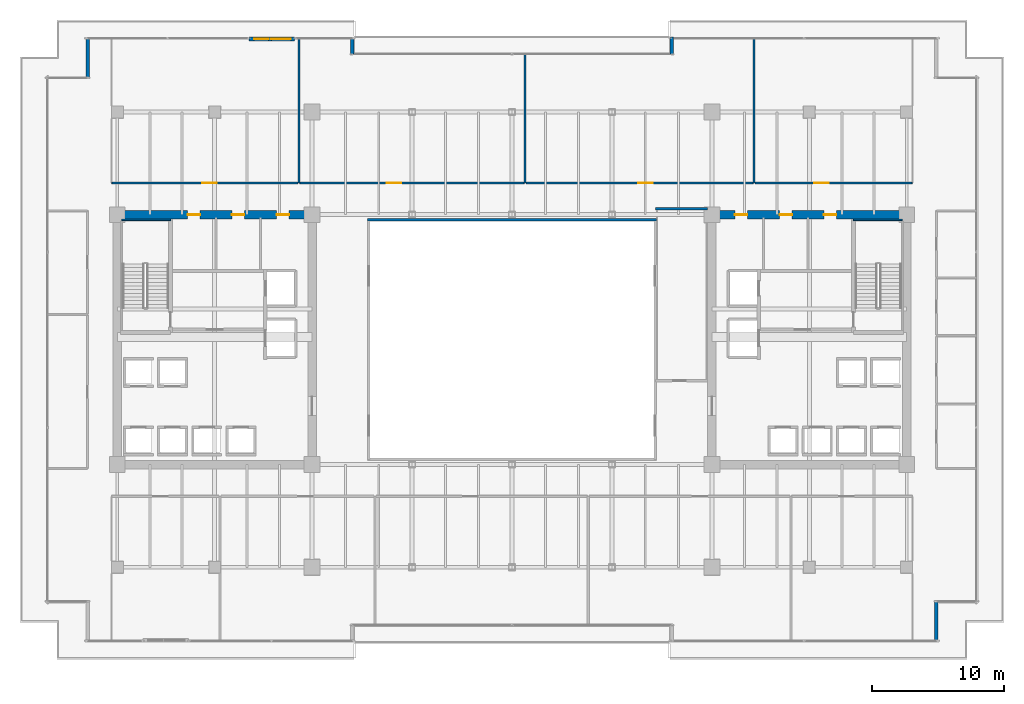
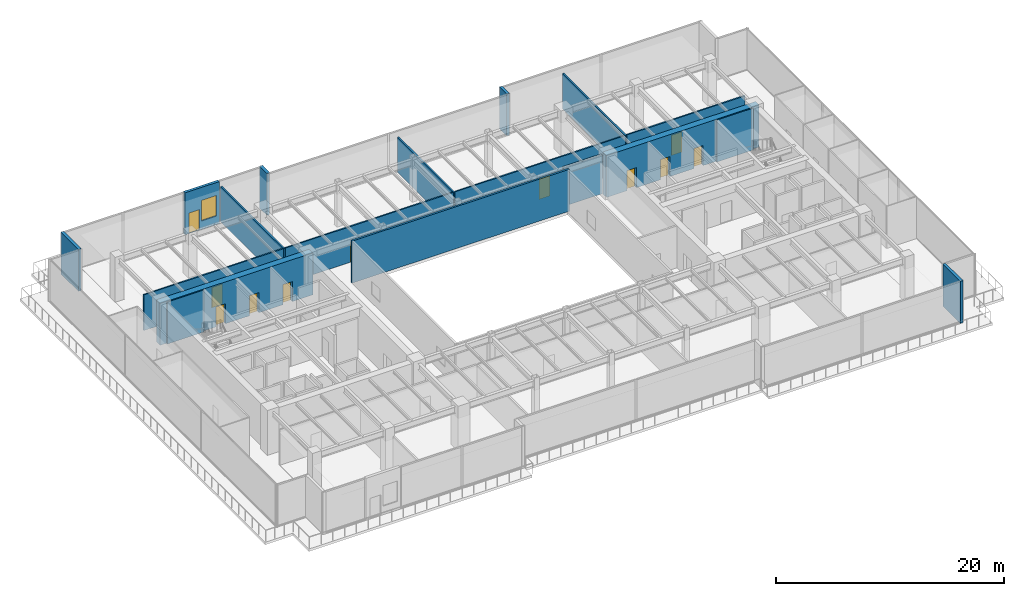
# One storey, part 28 of 33: 18 walls, 11 doors, 1 window, 12 openings.
"""IFC4 building model written with IfcOpenShell, lengths in metres."""

from ifc_helpers import new_model, si_unit, direction, frame, frame_2d, origin, place, context, subcontext, project, spatial, rectangle, extrude, source, transform, mapped, material, layer, layer_set, type_object, type_shapes, element, fill, save


model = new_model("IFC4")

# Units and contexts
model_context = context("Model", 3, precision=1e-05, world=origin(), true_north=direction((0.0, 1.0)))
body_context = subcontext(model_context, "Body", "Model", "MODEL_VIEW")
ifc_project = project(units=[si_unit("LENGTHUNIT", "METRE"), si_unit("AREAUNIT", "SQUARE_METRE"), si_unit("VOLUMEUNIT", "CUBIC_METRE"), si_unit("PLANEANGLEUNIT", "RADIAN"), si_unit("MASSUNIT", "GRAM", prefix="KILO")], contexts=[model_context])

# Site, building, storey
site_placement = place(None, origin())
site = spatial("IfcSite", under=ifc_project, at=site_placement, CompositionType="ELEMENT")
building_placement = place(site_placement, origin())
building = spatial("IfcBuilding", under=site, at=building_placement, Name="Haelvirn Gate Laboratories", CompositionType="ELEMENT")
storey_placement = place(building_placement, frame((0.0, 0.0, 100.300048828125)))
storey = spatial("IfcBuildingStorey", under=building, at=storey_placement, Name="L24", CompositionType="ELEMENT", Elevation=100.300048828125)

# Wall, openings, door, window
ifc_material_1 = material(Name="Thermally-broken bronze aluminium rainscreen & mineral wool", Category="aluminium")
ifc_layer_1 = layer(ifc_material_1, 0.280029296875, Name="EW-TERR-280")
ifc_layer_set_1 = layer_set([ifc_layer_1], Name="Thermally-broken bronze aluminium rainscreen & mineral wool")
wall_type_1 = type_object("IfcWallType", Name="EW-TERR-280", PredefinedType="STANDARD", material=ifc_layer_set_1)
wall_1_placement = place(storey_placement, frame((17.422119140625, 47.159912109375, 0.0), z_axis=(0.0, 0.0, 1.0), x_axis=(1.0, 0.0, 0.0)))
wall_1 = element("IfcWall", 1, at=wall_1_placement, inside=storey, type_object=wall_type_1, Name="L24 Terrace Access Wall SETB-N", PredefinedType="STANDARD", context=body_context, shape_type="SweptSolid", body=[
    extrude(rectangle(XDim=3.455810546875, YDim=0.280029296875, at=frame_2d((1.72802734375, 0.0))), origin(), (0.0, 0.0, 1.0), 4.489990234375),
])
opening_1_placement = place(wall_1_placement, frame((0.3779296875, 0.0, 0.0)))
opening_1 = element("IfcOpeningElement", 2, at=opening_1_placement, cuts=wall_1, Name="Opening TD1", PredefinedType="OPENING", context=body_context, shape_type="SweptSolid", body=[
    extrude(rectangle(XDim=1.10009765625, YDim=2.199951171875, at=frame_2d((0.550048828125, 1.10009765625))), frame((0.0, 0.14990234375, 0.0), z_axis=(0.0, -1.0, 0.0), x_axis=(1.0, 0.0, 0.0)), (0.0, 0.0, 1.0), 0.300048828125),
])
opening_2_placement = place(wall_1_placement, frame((1.677978515625, 0.0, 0.89990234375)))
opening_2 = element("IfcOpeningElement", 3, at=opening_2_placement, cuts=wall_1, Name="Opening W3", PredefinedType="OPENING", context=body_context, shape_type="SweptSolid", body=[
    extrude(rectangle(XDim=1.5, YDim=2.199951171875, at=frame_2d((0.75, 1.10009765625))), frame((0.0, 0.14990234375, 0.0), z_axis=(0.0, -1.0, 0.0), x_axis=(1.0, 0.0, 0.0)), (0.0, 0.0, 1.0), 0.300048828125),
])
ifc_material_2 = material(Name="Thermally-broken bronze aluminium glazed terrace door", Category="aluminium")
door_type_1 = type_object("IfcDoorType", Name="DR-TERR-1100", OperationType="NOTDEFINED", PredefinedType="DOOR", material=ifc_material_2)
shared_shape_1 = source(origin(), body_context, "Body", "SweptSolid", [
    extrude(rectangle(XDim=1.10009765625, YDim=2.199951171875, at=frame_2d((0.550048828125, 1.10009765625))), frame((0.0, 0.02490234375, 0.0), z_axis=(0.0, -1.0, 0.0), x_axis=(1.0, 0.0, 0.0)), (0.0, 0.0, 1.0), 0.050048828125),
])
type_shapes(door_type_1, [shared_shape_1])
door_1_placement = place(opening_1_placement, origin())
door_1 = element("IfcDoor", 4, at=door_1_placement, inside=storey, type_object=door_type_1, Name="L24 Terrace Access Door SETB-N", OperationType="SINGLE_SWING_RIGHT", OverallHeight=2.199951171875, OverallWidth=1.10009765625, PredefinedType="DOOR", context=body_context, shape_type="MappedRepresentation", body=[
    mapped(shared_shape_1, transform((0.0, 0.0, 0.0), scale=1.0)),
])
fill(opening_1, door_1)
ifc_material_3 = material(Name="Bronze anodised aluminium & triple low-E glass", Category="aluminium")
window_type = type_object("IfcWindowType", Name="WIN-TERR-1600", PartitioningType="SINGLE_PANEL", PredefinedType="WINDOW", material=ifc_material_3)
shared_shape_2 = source(origin(), body_context, "Body", "SweptSolid", [
    extrude(rectangle(XDim=1.5, YDim=2.199951171875, at=frame_2d((0.75, 1.10009765625))), frame((0.0, 0.030029296875, 0.0), z_axis=(0.0, -1.0, 0.0), x_axis=(1.0, 0.0, 0.0)), (0.0, 0.0, 1.0), 0.06005859375),
])
type_shapes(window_type, [shared_shape_2])
window_placement = place(opening_2_placement, origin())
window = element("IfcWindow", 5, at=window_placement, inside=storey, type_object=window_type, Name="L24 Terrace Vision Window SETB-N", OverallHeight=2.199951171875, OverallWidth=1.5, PartitioningType="SINGLE_PANEL", PredefinedType="WINDOW", context=body_context, shape_type="MappedRepresentation", body=[
    mapped(shared_shape_2, transform((0.0, 0.0, 0.0), scale=1.0)),
])
fill(opening_2, window)

# Walls
wall_2_placement = place(storey_placement, frame((69.659912109375, 1.300048828125, 0.0), z_axis=(0.0, 0.0, 1.0), x_axis=(0.0, 1.0, 0.0)))
element("IfcWall", 6, at=wall_2_placement, inside=storey, type_object=wall_type_1, Name="L24 Atrium Recess Bronze Return Wall 05", PredefinedType="STANDARD", context=body_context, shape_type="SweptSolid", body=[
    extrude(rectangle(XDim=3.087890625, YDim=0.280029296875, at=frame_2d((1.5439453125, 0.0))), origin(), (0.0, 0.0, 1.0), 4.489990234375),
])
for number, where, z_axis, x_axis, name in (
    (7, (49.5400390625, 47.300048828125, 0.0), (0.0, 0.0, 1.0), (0.0, -1.0, 0.0), "L24 Atrium Recess Bronze Return Wall 11"),
    (8, (25.260009765625, 46.011962890625, 0.0), (0.0, 0.0, 1.0), (0.0, 1.0, 0.0), "L24 Atrium Recess Bronze Return Wall 13"),
):
    element("IfcWall", number, at=place(storey_placement, frame(where, z_axis=z_axis, x_axis=x_axis)), inside=storey, type_object=wall_type_1, Name=name, PredefinedType="STANDARD", context=body_context, shape_type="SweptSolid", body=[
        extrude(rectangle(XDim=1.2880859375, YDim=0.280029296875, at=frame_2d((0.64404296875, 0.0))), origin(), (0.0, 0.0, 1.0), 4.489990234375),
    ])
wall_3_placement = place(storey_placement, frame((5.139892578125, 47.300048828125, 0.0), z_axis=(0.0, 0.0, 1.0), x_axis=(0.0, -1.0, 0.0)))
element("IfcWall", 9, at=wall_3_placement, inside=storey, type_object=wall_type_1, Name="L24 Atrium Recess Bronze Return Wall 15", PredefinedType="STANDARD", context=body_context, shape_type="SweptSolid", body=[
    extrude(rectangle(XDim=3.088134765625, YDim=0.280029296875, at=frame_2d((1.5439453125, 0.0))), origin(), (0.0, 0.0, 1.0), 4.489990234375),
])
ifc_material_4 = material(Name="Double-layer acoustic gypsum laboratory partition", Category="gypsum")
ifc_layer_2 = layer(ifc_material_4, 0.159912109375, Name="IW-ACOUST-160")
ifc_layer_set_2 = layer_set([ifc_layer_2], Name="Double-layer acoustic gypsum laboratory partition")
wall_type_2 = type_object("IfcWallType", Name="IW-ACOUST-160", PredefinedType="PARTITIONING", material=ifc_layer_set_2)
wall_4_placement = place(storey_placement, frame((21.199951171875, 36.2099609375, 0.0), z_axis=(0.0, 0.0, 1.0), x_axis=(0.0, 1.0, 0.0)))
element("IfcWall", 10, at=wall_4_placement, inside=storey, type_object=wall_type_2, Name="L24 Interior Wall IW-L24-NDIV-01", PredefinedType="PARTITIONING", context=body_context, shape_type="SweptSolid", body=[
    extrude(rectangle(XDim=10.97998046875, YDim=0.159912109375, at=frame_2d((5.489990234375, 0.0))), origin(), (0.0, 0.0, 1.0), 3.77490234375),
])
wall_5_placement = place(storey_placement, frame((38.39990234375, 36.2099609375, 0.0), z_axis=(0.0, 0.0, 1.0), x_axis=(0.0, 1.0, 0.0)))
element("IfcWall", 11, at=wall_5_placement, inside=storey, type_object=wall_type_2, Name="L24 Interior Wall IW-L24-NDIV-02", PredefinedType="PARTITIONING", context=body_context, shape_type="SweptSolid", body=[
    extrude(rectangle(XDim=9.780029296875, YDim=0.159912109375, at=frame_2d((4.89013671875, 0.0))), origin(), (0.0, 0.0, 1.0), 3.77490234375),
])
wall_6_placement = place(storey_placement, frame((55.800048828125, 36.2099609375, 0.0), z_axis=(0.0, 0.0, 1.0), x_axis=(0.0, 1.0, 0.0)))
element("IfcWall", 12, at=wall_6_placement, inside=storey, type_object=wall_type_2, Name="L24 Interior Wall IW-L24-NDIV-03", PredefinedType="PARTITIONING", context=body_context, shape_type="SweptSolid", body=[
    extrude(rectangle(XDim=10.97998046875, YDim=0.159912109375, at=frame_2d((5.489990234375, 0.0))), origin(), (0.0, 0.0, 1.0), 3.77490234375),
])
ifc_material_5 = material(Name="Fire-rated acoustic gypsum board partition", Category="gypsum")
ifc_layer_3 = layer(ifc_material_5, 0.175048828125, Name="IW-ACOUST-180")
ifc_layer_set_3 = layer_set([ifc_layer_3], Name="Fire-rated acoustic gypsum board partition")
wall_type_3 = type_object("IfcWallType", Name="IW-ACOUST-180", PredefinedType="PARTITIONING", material=ifc_layer_set_3)
wall_7_placement = place(storey_placement, frame((48.300048828125, 34.260009765625, 0.0), z_axis=(0.0, 0.0, 1.0), x_axis=(1.0, 0.0, 0.0)))
element("IfcWall", 13, at=wall_7_placement, inside=storey, type_object=wall_type_3, Name="L24 Interior Wall IW-L24-ASEM-N", PredefinedType="PARTITIONING", context=body_context, shape_type="SweptSolid", body=[
    extrude(rectangle(XDim=3.974853515625, YDim=0.175048828125, at=frame_2d((1.9873046875, 0.0))), origin(), (0.0, 0.0, 1.0), 4.175048828125),
])
ifc_material_6 = material(Name="Tempered fire-rated borosilicate glass & anodised aluminium", Category="aluminium")
ifc_layer_4 = layer(ifc_material_6, 0.195068359375, Name="IW-GLAZ-200")
ifc_layer_set_4 = layer_set([ifc_layer_4], Name="Tempered fire-rated borosilicate glass & anodised aluminium")
wall_type_4 = type_object("IfcWallType", Name="IW-GLAZ-200", PredefinedType="SOLIDWALL", material=ifc_layer_set_4)
wall_8_placement = place(storey_placement, frame((26.39990234375, 33.39990234375, 0.0), z_axis=(0.0, 0.0, 1.0), x_axis=(1.0, 0.0, 0.0)))
element("IfcWall", 14, at=wall_8_placement, inside=storey, type_object=wall_type_4, Name="L24 Interior Wall IW-L24-ATRIUM-N", PredefinedType="SOLIDWALL", context=body_context, shape_type="SweptSolid", body=[
    extrude(rectangle(XDim=22.0, YDim=0.195068359375, at=frame_2d((11.0, 0.0))), origin(), (0.0, 0.0, 1.0), 4.489990234375),
])

# Wall, opening, door
ifc_material_7 = material(Name="Acoustic mineral-wool gypsum board partition", Category="gypsum")
ifc_layer_5 = layer(ifc_material_7, 0.139892578125, Name="IW-PART-140")
ifc_layer_set_5 = layer_set([ifc_layer_5], Name="Acoustic mineral-wool gypsum board partition")
wall_type_5 = type_object("IfcWallType", Name="IW-PART-140", PredefinedType="PARTITIONING", material=ifc_layer_set_5)
wall_9_placement = place(storey_placement, frame((6.97998046875, 36.2099609375, 0.0), z_axis=(0.0, 0.0, 1.0), x_axis=(1.0, 0.0, 0.0)))
wall_9 = element("IfcWall", 15, at=wall_9_placement, inside=storey, type_object=wall_type_5, Name="L24 Interior Wall IW-L24-NCORR-01", PredefinedType="PARTITIONING", context=body_context, shape_type="SweptSolid", body=[
    extrude(rectangle(XDim=14.14013671875, YDim=0.139892578125, at=frame_2d((7.070068359375, 0.0))), origin(), (0.0, 0.0, 1.0), 3.824951171875),
])
opening_3_placement = place(wall_9_placement, frame((6.89013671875, 0.0, 0.0)))
opening_3 = element("IfcOpeningElement", 16, at=opening_3_placement, cuts=wall_9, Name="Opening D1", PredefinedType="OPENING", context=body_context, shape_type="SweptSolid", body=[
    extrude(rectangle(XDim=1.10009765625, YDim=2.179931640625, at=frame_2d((0.550048828125, 1.08984375))), frame((0.0, 0.080078125, 0.0), z_axis=(0.0, -1.0, 0.0), x_axis=(1.0, 0.0, 0.0)), (0.0, 0.0, 1.0), 0.159912109375),
])
ifc_material_8 = material(Name="Vision-panel acoustic solid-core timber lab door", Category="wood")
door_type_2 = type_object("IfcDoorType", Name="DR-LAB-1100", OperationType="NOTDEFINED", PredefinedType="DOOR", material=ifc_material_8)
shared_shape_3 = source(origin(), body_context, "Body", "SweptSolid", [
    extrude(rectangle(XDim=1.10009765625, YDim=2.179931640625, at=frame_2d((0.550048828125, 1.08984375))), frame((0.0, 0.02490234375, 0.0), z_axis=(0.0, -1.0, 0.0), x_axis=(1.0, 0.0, 0.0)), (0.0, 0.0, 1.0), 0.050048828125),
])
type_shapes(door_type_2, [shared_shape_3])
door_2_placement = place(opening_3_placement, origin())
door_2 = element("IfcDoor", 17, at=door_2_placement, inside=storey, type_object=door_type_2, Name="L24 Sky Terrace Research Commons Door N1", OperationType="SINGLE_SWING_RIGHT", OverallHeight=2.179931640625, OverallWidth=1.10009765625, PredefinedType="DOOR", context=body_context, shape_type="MappedRepresentation", body=[
    mapped(shared_shape_3, transform((0.0, 0.0, 0.0), scale=1.0)),
])
fill(opening_3, door_2)

wall_10_placement = place(storey_placement, frame((21.280029296875, 36.2099609375, 0.0), z_axis=(0.0, 0.0, 1.0), x_axis=(1.0, 0.0, 0.0)))
wall_10 = element("IfcWall", 18, at=wall_10_placement, inside=storey, type_object=wall_type_5, Name="L24 Interior Wall IW-L24-NCORR-02", PredefinedType="PARTITIONING", context=body_context, shape_type="SweptSolid", body=[
    extrude(rectangle(XDim=17.0400390625, YDim=0.139892578125, at=frame_2d((8.52001953125, 0.0))), origin(), (0.0, 0.0, 1.0), 3.824951171875),
])
opening_4_placement = place(wall_10_placement, frame((6.598388671875, 0.0, 0.0)))
opening_4 = element("IfcOpeningElement", 19, at=opening_4_placement, cuts=wall_10, Name="Opening D1", PredefinedType="OPENING", context=body_context, shape_type="SweptSolid", body=[
    extrude(rectangle(XDim=1.10009765625, YDim=2.179931640625, at=frame_2d((0.550048828125, 1.08984375))), frame((0.0, 0.080078125, 0.0), z_axis=(0.0, -1.0, 0.0), x_axis=(1.0, 0.0, 0.0)), (0.0, 0.0, 1.0), 0.159912109375),
])
door_3_placement = place(opening_4_placement, origin())
door_3 = element("IfcDoor", 20, at=door_3_placement, inside=storey, type_object=door_type_2, Name="L24 Colloquium Seminar Room Door N2", OperationType="SINGLE_SWING_LEFT", OverallHeight=2.179931640625, OverallWidth=1.10009765625, PredefinedType="DOOR", context=body_context, shape_type="MappedRepresentation", body=[
    mapped(shared_shape_3, transform((0.0, 0.0, 0.0), scale=1.0)),
])
fill(opening_4, door_3)

wall_11_placement = place(storey_placement, frame((38.47998046875, 36.2099609375, 0.0), z_axis=(0.0, 0.0, 1.0), x_axis=(1.0, 0.0, 0.0)))
wall_11 = element("IfcWall", 21, at=wall_11_placement, inside=storey, type_object=wall_type_5, Name="L24 Interior Wall IW-L24-NCORR-03", PredefinedType="PARTITIONING", context=body_context, shape_type="SweptSolid", body=[
    extrude(rectangle(XDim=17.239990234375, YDim=0.139892578125, at=frame_2d((8.6201171875, 0.0))), origin(), (0.0, 0.0, 1.0), 3.824951171875),
])
opening_5_placement = place(wall_11_placement, frame((8.533203125, 0.0, 0.0)))
opening_5 = element("IfcOpeningElement", 22, at=opening_5_placement, cuts=wall_11, Name="Opening D1", PredefinedType="OPENING", context=body_context, shape_type="SweptSolid", body=[
    extrude(rectangle(XDim=1.10009765625, YDim=2.179931640625, at=frame_2d((0.550048828125, 1.08984375))), frame((0.0, 0.080078125, 0.0), z_axis=(0.0, -1.0, 0.0), x_axis=(1.0, 0.0, 0.0)), (0.0, 0.0, 1.0), 0.159912109375),
])
door_4_placement = place(opening_5_placement, origin())
door_4 = element("IfcDoor", 23, at=door_4_placement, inside=storey, type_object=door_type_2, Name="L24 Colloquium Seminar Room Door N3", OperationType="SINGLE_SWING_RIGHT", OverallHeight=2.179931640625, OverallWidth=1.10009765625, PredefinedType="DOOR", context=body_context, shape_type="MappedRepresentation", body=[
    mapped(shared_shape_3, transform((0.0, 0.0, 0.0), scale=1.0)),
])
fill(opening_5, door_4)

wall_12_placement = place(storey_placement, frame((55.8798828125, 36.2099609375, 0.0), z_axis=(0.0, 0.0, 1.0), x_axis=(1.0, 0.0, 0.0)))
wall_12 = element("IfcWall", 24, at=wall_12_placement, inside=storey, type_object=wall_type_5, Name="L24 Interior Wall IW-L24-NCORR-04", PredefinedType="PARTITIONING", context=body_context, shape_type="SweptSolid", body=[
    extrude(rectangle(XDim=11.940185546875, YDim=0.139892578125, at=frame_2d((5.97021484375, 0.0))), origin(), (0.0, 0.0, 1.0), 3.824951171875),
])
opening_6_placement = place(wall_12_placement, frame((4.50732421875, 0.0, 0.0)))
opening_6 = element("IfcOpeningElement", 25, at=opening_6_placement, cuts=wall_12, Name="Opening D1", PredefinedType="OPENING", context=body_context, shape_type="SweptSolid", body=[
    extrude(rectangle(XDim=1.10009765625, YDim=2.179931640625, at=frame_2d((0.550048828125, 1.08984375))), frame((0.0, 0.080078125, 0.0), z_axis=(0.0, -1.0, 0.0), x_axis=(1.0, 0.0, 0.0)), (0.0, 0.0, 1.0), 0.159912109375),
])
door_5_placement = place(opening_6_placement, origin())
door_5 = element("IfcDoor", 26, at=door_5_placement, inside=storey, type_object=door_type_2, Name="L24 East Sky Fellows Commons Lounge Door N4", OperationType="SINGLE_SWING_LEFT", OverallHeight=2.179931640625, OverallWidth=1.10009765625, PredefinedType="DOOR", context=body_context, shape_type="MappedRepresentation", body=[
    mapped(shared_shape_3, transform((0.0, 0.0, 0.0), scale=1.0)),
])
fill(opening_6, door_5)

# Wall, openings, doors
ifc_material_9 = material(Name="Concrete C60/75", Category="concrete")
ifc_layer_6 = layer(ifc_material_9, 0.64990234375, Name="SW-CORE-650")
ifc_layer_set_6 = layer_set([ifc_layer_6], Name="Concrete C60/75")
wall_type_6 = type_object("IfcWallType", Name="SW-CORE-650", PredefinedType="SHEAR", material=ifc_layer_set_6)
wall_13_placement = place(storey_placement, frame((7.074951171875, 33.800048828125, 0.0), z_axis=(0.0, 0.0, 1.0), x_axis=(1.0, 0.0, 0.0)))
wall_13 = element("IfcWall", 27, at=wall_13_placement, inside=storey, type_object=wall_type_6, Name="L24 W Core Shear Wall N", PredefinedType="SHEAR", context=body_context, shape_type="SweptSolid", body=[
    extrude(rectangle(XDim=15.449951171875, YDim=0.64990234375, at=frame_2d((7.72509765625, 0.0))), origin(), (0.0, 0.0, 1.0), 4.489990234375),
])
opening_7_placement = place(wall_13_placement, frame((5.675048828125, 0.0, 0.0)))
opening_7 = element("IfcOpeningElement", 28, at=opening_7_placement, cuts=wall_13, Name="Opening FD4", PredefinedType="OPENING", context=body_context, shape_type="SweptSolid", body=[
    extrude(rectangle(XDim=0.949951171875, YDim=2.14990234375, at=frame_2d((0.47509765625, 1.074951171875))), frame((0.0, 0.3349609375, 0.0), z_axis=(0.0, -1.0, 0.0), x_axis=(1.0, 0.0, 0.0)), (0.0, 0.0, 1.0), 0.669921875),
])
opening_8_placement = place(wall_13_placement, frame((9.0400390625, 0.0, 0.0)))
opening_8 = element("IfcOpeningElement", 29, at=opening_8_placement, cuts=wall_13, Name="Opening FD4", PredefinedType="OPENING", context=body_context, shape_type="SweptSolid", body=[
    extrude(rectangle(XDim=0.949951171875, YDim=2.14990234375, at=frame_2d((0.47509765625, 1.074951171875))), frame((0.0, 0.3349609375, 0.0), z_axis=(0.0, -1.0, 0.0), x_axis=(1.0, 0.0, 0.0)), (0.0, 0.0, 1.0), 0.669921875),
])
opening_9_placement = place(wall_13_placement, frame((12.43994140625, 0.0, 0.0)))
opening_9 = element("IfcOpeningElement", 30, at=opening_9_placement, cuts=wall_13, Name="Opening FD4", PredefinedType="OPENING", context=body_context, shape_type="SweptSolid", body=[
    extrude(rectangle(XDim=0.949951171875, YDim=2.14990234375, at=frame_2d((0.47509765625, 1.074951171875))), frame((0.0, 0.3349609375, 0.0), z_axis=(0.0, -1.0, 0.0), x_axis=(1.0, 0.0, 0.0)), (0.0, 0.0, 1.0), 0.669921875),
])
ifc_material_10 = material(Name="Fire-rated steel SM355 core service door", Category="steel")
door_type_3 = type_object("IfcDoorType", Name="DR-FD-950", OperationType="NOTDEFINED", PredefinedType="DOOR", material=ifc_material_10)
shared_shape_4 = source(origin(), body_context, "Body", "SweptSolid", [
    extrude(rectangle(XDim=0.949951171875, YDim=2.14990234375, at=frame_2d((0.47509765625, 1.074951171875))), frame((0.0, 0.02490234375, 0.0), z_axis=(0.0, -1.0, 0.0), x_axis=(1.0, 0.0, 0.0)), (0.0, 0.0, 1.0), 0.050048828125),
])
type_shapes(door_type_3, [shared_shape_4])
door_6_placement = place(opening_7_placement, origin())
door_6 = element("IfcDoor", 31, at=door_6_placement, inside=storey, type_object=door_type_3, Name="L24 Male Restroom Fire Door", OperationType="SINGLE_SWING_LEFT", OverallHeight=2.14990234375, OverallWidth=0.949951171875, PredefinedType="DOOR", context=body_context, shape_type="MappedRepresentation", body=[
    mapped(shared_shape_4, transform((0.0, 0.0, 0.0), scale=1.0)),
])
fill(opening_7, door_6)
door_7_placement = place(opening_8_placement, origin())
door_7 = element("IfcDoor", 32, at=door_7_placement, inside=storey, type_object=door_type_3, Name="L24 Female Restroom Fire Door", OperationType="SINGLE_SWING_RIGHT", OverallHeight=2.14990234375, OverallWidth=0.949951171875, PredefinedType="DOOR", context=body_context, shape_type="MappedRepresentation", body=[
    mapped(shared_shape_4, transform((0.0, 0.0, 0.0), scale=1.0)),
])
fill(opening_8, door_7)
door_8_placement = place(opening_9_placement, origin())
door_8 = element("IfcDoor", 33, at=door_8_placement, inside=storey, type_object=door_type_3, Name="L24 Accessible Restroom Fire Door", OperationType="SINGLE_SWING_LEFT", OverallHeight=2.14990234375, OverallWidth=0.949951171875, PredefinedType="DOOR", context=body_context, shape_type="MappedRepresentation", body=[
    mapped(shared_shape_4, transform((0.0, 0.0, 0.0), scale=1.0)),
])
fill(opening_9, door_8)

wall_14_placement = place(storey_placement, frame((52.27490234375, 33.800048828125, 0.0), z_axis=(0.0, 0.0, 1.0), x_axis=(1.0, 0.0, 0.0)))
wall_14 = element("IfcWall", 34, at=wall_14_placement, inside=storey, type_object=wall_type_6, Name="L24 E Core Shear Wall N", PredefinedType="SHEAR", context=body_context, shape_type="SweptSolid", body=[
    extrude(rectangle(XDim=15.4501953125, YDim=0.64990234375, at=frame_2d((7.72509765625, 0.0))), origin(), (0.0, 0.0, 1.0), 4.489990234375),
])
opening_10_placement = place(wall_14_placement, frame((8.824951171875, 0.0, 0.0)))
opening_10 = element("IfcOpeningElement", 35, at=opening_10_placement, cuts=wall_14, Name="Opening FD4", PredefinedType="OPENING", context=body_context, shape_type="SweptSolid", body=[
    extrude(rectangle(XDim=0.949951171875, YDim=2.14990234375, at=frame_2d((0.47509765625, 1.074951171875))), frame((0.0, 0.3349609375, 0.0), z_axis=(0.0, -1.0, 0.0), x_axis=(1.0, 0.0, 0.0)), (0.0, 0.0, 1.0), 0.669921875),
])
opening_11_placement = place(wall_14_placement, frame((5.4599609375, 0.0, 0.0)))
opening_11 = element("IfcOpeningElement", 36, at=opening_11_placement, cuts=wall_14, Name="Opening FD4", PredefinedType="OPENING", context=body_context, shape_type="SweptSolid", body=[
    extrude(rectangle(XDim=0.949951171875, YDim=2.14990234375, at=frame_2d((0.47509765625, 1.074951171875))), frame((0.0, 0.3349609375, 0.0), z_axis=(0.0, -1.0, 0.0), x_axis=(1.0, 0.0, 0.0)), (0.0, 0.0, 1.0), 0.669921875),
])
opening_12_placement = place(wall_14_placement, frame((2.06005859375, 0.0, 0.0)))
opening_12 = element("IfcOpeningElement", 37, at=opening_12_placement, cuts=wall_14, Name="Opening FD4", PredefinedType="OPENING", context=body_context, shape_type="SweptSolid", body=[
    extrude(rectangle(XDim=0.949951171875, YDim=2.14990234375, at=frame_2d((0.47509765625, 1.074951171875))), frame((0.0, 0.3349609375, 0.0), z_axis=(0.0, -1.0, 0.0), x_axis=(1.0, 0.0, 0.0)), (0.0, 0.0, 1.0), 0.669921875),
])
door_9_placement = place(opening_10_placement, origin())
door_9 = element("IfcDoor", 38, at=door_9_placement, inside=storey, type_object=door_type_3, Name="L24 Male Restroom Fire Door", OperationType="SINGLE_SWING_LEFT", OverallHeight=2.14990234375, OverallWidth=0.949951171875, PredefinedType="DOOR", context=body_context, shape_type="MappedRepresentation", body=[
    mapped(shared_shape_4, transform((0.0, 0.0, 0.0), scale=1.0)),
])
fill(opening_10, door_9)
door_10_placement = place(opening_11_placement, origin())
door_10 = element("IfcDoor", 39, at=door_10_placement, inside=storey, type_object=door_type_3, Name="L24 Female Restroom Fire Door", OperationType="SINGLE_SWING_RIGHT", OverallHeight=2.14990234375, OverallWidth=0.949951171875, PredefinedType="DOOR", context=body_context, shape_type="MappedRepresentation", body=[
    mapped(shared_shape_4, transform((0.0, 0.0, 0.0), scale=1.0)),
])
fill(opening_11, door_10)
door_11_placement = place(opening_12_placement, origin())
door_11 = element("IfcDoor", 40, at=door_11_placement, inside=storey, type_object=door_type_3, Name="L24 Accessible Restroom Fire Door", OperationType="SINGLE_SWING_LEFT", OverallHeight=2.14990234375, OverallWidth=0.949951171875, PredefinedType="DOOR", context=body_context, shape_type="MappedRepresentation", body=[
    mapped(shared_shape_4, transform((0.0, 0.0, 0.0), scale=1.0)),
])
fill(opening_12, door_11)

# Walls
ifc_material_11 = material(Name="Concrete C50/60", Category="concrete")
ifc_layer_7 = layer(ifc_material_11, 0.1201171875, Name="SW-LINER-120")
ifc_layer_set_7 = layer_set([ifc_layer_7], Name="Concrete C50/60")
wall_type_7 = type_object("IfcWallType", Name="SW-LINER-120", PredefinedType="SOLIDWALL", material=ifc_layer_set_7)
for number, where, z_axis, x_axis, name in (
    (41, (7.72998046875, 33.39990234375, 0.0), (0.0, 0.0, 1.0), (1.0, 0.0, 0.0), "L24 W Core Stair Shaft Liner Wall N"),
    (42, (63.35009765625, 33.39990234375, 0.0), (0.0, 0.0, 1.0), (1.0, 0.0, 0.0), "L24 E Core Stair Shaft Liner Wall N"),
):
    element("IfcWall", number, at=place(storey_placement, frame(where, z_axis=z_axis, x_axis=x_axis)), inside=storey, type_object=wall_type_7, Name=name, PredefinedType="SOLIDWALL", context=body_context, shape_type="SweptSolid", body=[
        extrude(rectangle(XDim=3.719970703125, YDim=0.1201171875, at=frame_2d((1.85986328125, 0.0))), origin(), (0.0, 0.0, 1.0), 4.489990234375),
    ])

save(model, "model.ifc")
